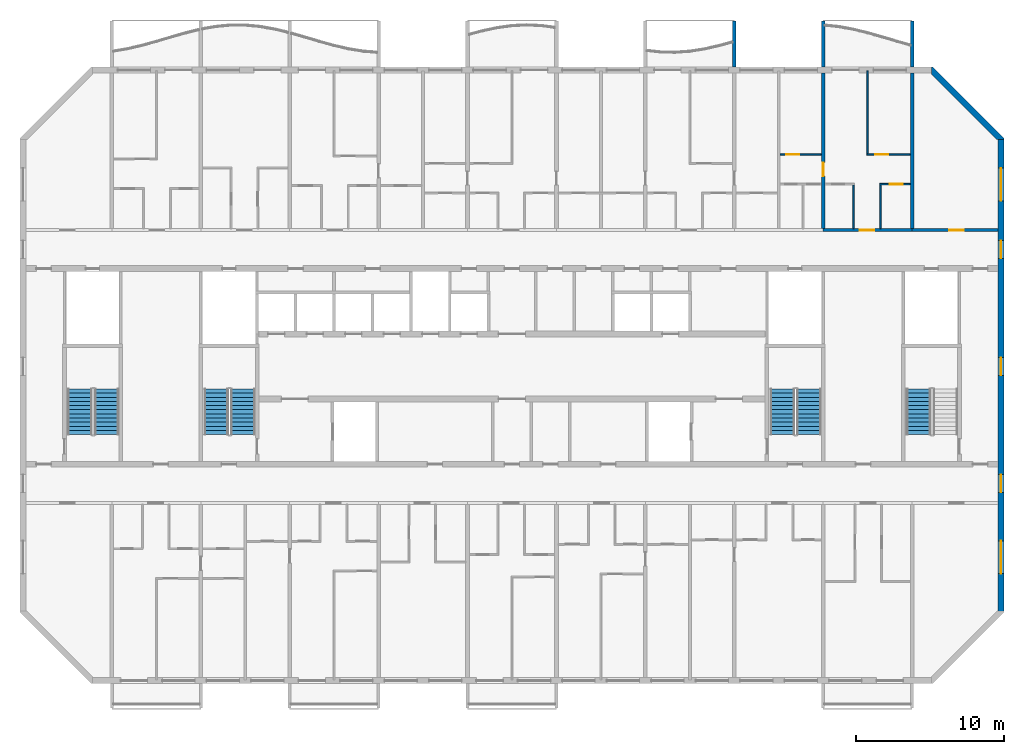
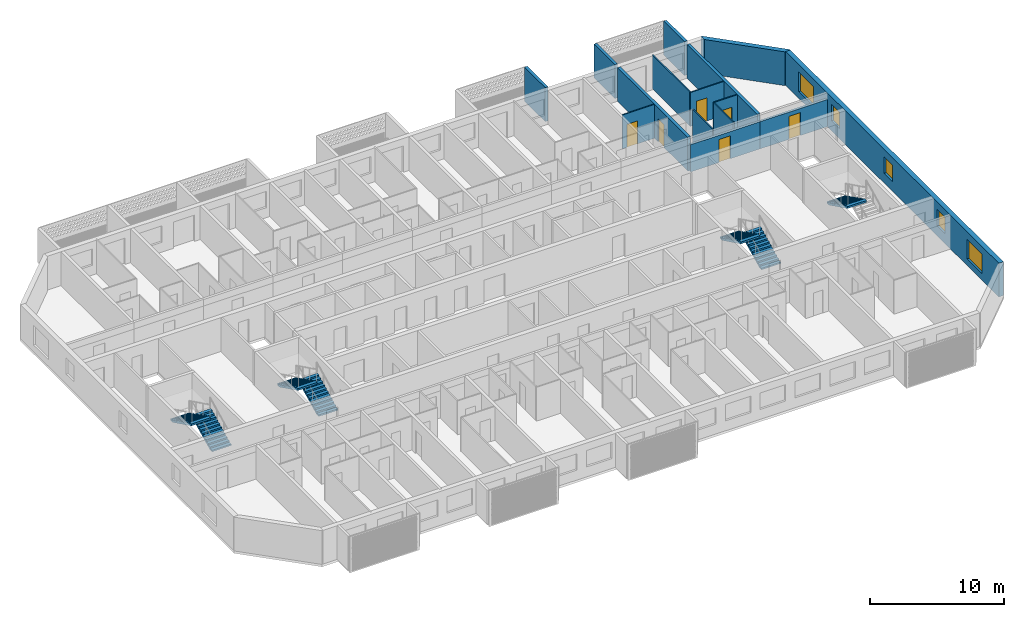
# One storey, part 11 of 27: 15 walls, 7 stair flights, 6 doors, 5 windows, 11 openings, 4 elements without a shape of their own.
"""IFC4 building model written with IfcOpenShell, lengths in metres."""

from ifc_helpers import new_model, si_unit, direction, frame, frame_2d, origin, place, context, subcontext, project, spatial, polyline, rectangle, outline, extrude, source, transform, mapped, material, layer, layer_set, type_object, element, fill, aggregate, save


model = new_model("IFC4")

# Units and contexts
model_context = context("Model", 3, precision=1e-05, world=origin(), true_north=direction((0.0, 1.0)))
body_context = subcontext(model_context, "Body", "Model", "MODEL_VIEW")
ifc_project = project(units=[si_unit("LENGTHUNIT", "METRE"), si_unit("AREAUNIT", "SQUARE_METRE"), si_unit("VOLUMEUNIT", "CUBIC_METRE"), si_unit("PLANEANGLEUNIT", "RADIAN"), si_unit("MASSUNIT", "GRAM", prefix="KILO")], contexts=[model_context])

# Site, building, storey
site_placement = place(None, origin())
site = spatial("IfcSite", under=ifc_project, at=site_placement, CompositionType="ELEMENT")
building_placement = place(site_placement, origin())
building = spatial("IfcBuilding", under=site, at=building_placement, Name="Poui Terraces", CompositionType="ELEMENT")
storey_placement = place(building_placement, frame((0.0, 0.0, 201.60009765625)))
storey = spatial("IfcBuildingStorey", under=building, at=storey_placement, Name="L56", CompositionType="ELEMENT", Elevation=201.60009765625)

# Wall, opening, door
ifc_material_1 = material(Name="Concrete 50 MPa", Category="concrete")
ifc_layer_1 = layer(ifc_material_1, 0.199951171875)
ifc_layer_set_1 = layer_set([ifc_layer_1], Name="Concrete 50 MPa")
wall_type_1 = type_object("IfcWallType", Name="CORRIDOR WALL 200 50MPa", PredefinedType="SHEAR", material=ifc_layer_set_1)
wall_1_placement = place(storey_placement, frame((72.0, 30.39990234375, 0.0), z_axis=(0.0, 0.0, 1.0), x_axis=(1.0, 0.0, 0.0)))
wall_1 = element("IfcWall", 1, at=wall_1_placement, inside=storey, type_object=wall_type_1, Name="CORRIDOR WALL LINE E BAY 10", PredefinedType="SHEAR", context=body_context, shape_type="SweptSolid", body=[
    extrude(rectangle(XDim=6.0, YDim=0.199951171875, at=frame_2d((3.0, 0.0))), origin(), (0.0, 0.0, 1.0), 2.47998046875),
])
opening_1_placement = place(wall_1_placement, frame((2.449951171875, 0.0, 0.0)))
opening_1 = element("IfcOpeningElement", 2, at=opening_1_placement, cuts=wall_1, Name="Opening FD30S", PredefinedType="OPENING", context=body_context, shape_type="SweptSolid", body=[
    extrude(rectangle(XDim=1.0, YDim=2.10009765625, at=frame_2d((0.5, 1.050048828125))), frame((0.0, 0.10986328125, 0.0), z_axis=(0.0, -1.0, 0.0), x_axis=(1.0, 0.0, 0.0)), (0.0, 0.0, 1.0), 0.219970703125),
])
ifc_material_2 = material(Name="Steel fire door", Category="steel")
door_type_1 = type_object("IfcDoorType", Name="FLAT ENTRANCE DOOR 1000 X 2100", OperationType="NOTDEFINED", PredefinedType="DOOR", material=ifc_material_2)
door_1_placement = place(opening_1_placement, origin())
door_1 = element("IfcDoor", 3, at=door_1_placement, inside=storey, type_object=door_type_1, Name="FLAT ENTRANCE DOOR 062", OperationType="SINGLE_SWING_LEFT", OverallHeight=2.10009765625, OverallWidth=1.0, PredefinedType="DOOR", context=body_context, shape_type="SweptSolid", body=[
    extrude(rectangle(XDim=1.0, YDim=2.10009765625, at=frame_2d((0.5, 1.050048828125))), frame((0.0, 0.02490234375, 0.0), z_axis=(0.0, -1.0, 0.0), x_axis=(1.0, 0.0, 0.0)), (0.0, 0.0, 1.0), 0.050048828125),
])
fill(opening_1, door_1)

wall_2_placement = place(storey_placement, frame((78.0, 30.39990234375, 0.0), z_axis=(0.0, 0.0, 1.0), x_axis=(1.0, 0.0, 0.0)))
wall_2 = element("IfcWall", 4, at=wall_2_placement, inside=storey, type_object=wall_type_1, Name="CORRIDOR WALL LINE E BAY 11", PredefinedType="SHEAR", context=body_context, shape_type="SweptSolid", body=[
    extrude(rectangle(XDim=5.800048828125, YDim=0.199951171875, at=frame_2d((2.89990234375, 0.0))), origin(), (0.0, 0.0, 1.0), 2.47998046875),
])
opening_2_placement = place(wall_2_placement, frame((2.5, 0.0, 0.0)))
opening_2 = element("IfcOpeningElement", 5, at=opening_2_placement, cuts=wall_2, Name="Opening D100", PredefinedType="OPENING", context=body_context, shape_type="SweptSolid", body=[
    extrude(rectangle(XDim=1.0, YDim=2.10009765625, at=frame_2d((0.5, 1.050048828125))), frame((0.0, 0.10986328125, 0.0), z_axis=(0.0, -1.0, 0.0), x_axis=(1.0, 0.0, 0.0)), (0.0, 0.0, 1.0), 0.219970703125),
])
ifc_material_3 = material(Name="Solid core timber door", Category="wood")
door_type_2 = type_object("IfcDoorType", Name="ACCESSIBLE INTERNAL DOOR 1000 X 2100", OperationType="NOTDEFINED", PredefinedType="DOOR", material=ifc_material_3)
door_2_placement = place(opening_2_placement, origin())
door_2 = element("IfcDoor", 6, at=door_2_placement, inside=storey, type_object=door_type_2, Name="ACCESSIBLE INTERNAL DOOR 065", OperationType="SINGLE_SWING_LEFT", OverallHeight=2.10009765625, OverallWidth=1.0, PredefinedType="DOOR", context=body_context, shape_type="SweptSolid", body=[
    extrude(rectangle(XDim=1.0, YDim=2.10009765625, at=frame_2d((0.5, 1.050048828125))), frame((0.0, 0.02490234375, 0.0), z_axis=(0.0, -1.0, 0.0), x_axis=(1.0, 0.0, 0.0)), (0.0, 0.0, 1.0), 0.050048828125),
])
fill(opening_2, door_2)

ifc_layer_2 = layer(ifc_material_1, 0.25)
ifc_layer_set_2 = layer_set([ifc_layer_2], Name="Concrete 50 MPa")
wall_type_2 = type_object("IfcWallType", Name="CROSS WALL 250 50MPa", PredefinedType="SHEAR", material=ifc_layer_set_2)
wall_3_placement = place(storey_placement, frame((72.0, 30.5, 0.0), z_axis=(0.0, 0.0, 1.0), x_axis=(0.0, 1.0, 0.0)))
wall_3 = element("IfcWall", 7, at=wall_3_placement, inside=storey, type_object=wall_type_2, Name="CROSS WALL LINE 13 NORTH", PredefinedType="SHEAR", context=body_context, shape_type="SweptSolid", body=[
    extrude(rectangle(XDim=10.5, YDim=0.25, at=frame_2d((5.25, 0.0))), origin(), (0.0, 0.0, 1.0), 3.079833984375),
])
opening_3_placement = place(wall_3_placement, frame((3.550048828125, 0.0, 0.0)))
opening_3 = element("IfcOpeningElement", 8, at=opening_3_placement, cuts=wall_3, Name="Opening D90", PredefinedType="OPENING", context=body_context, shape_type="SweptSolid", body=[
    extrude(rectangle(XDim=0.89990234375, YDim=2.10009765625, at=frame_2d((0.449951171875, 1.050048828125))), frame((0.0, 0.135009765625, 0.0), z_axis=(0.0, -1.0, 0.0), x_axis=(1.0, 0.0, 0.0)), (0.0, 0.0, 1.0), 0.27001953125),
])
door_type_3 = type_object("IfcDoorType", Name="INTERNAL DOOR 900 X 2100", OperationType="NOTDEFINED", PredefinedType="DOOR", material=ifc_material_3)
door_3_placement = place(opening_3_placement, frame((0.89990234375, 0.0, 0.0), z_axis=(0.0, 0.0, 1.0), x_axis=(-1.0, 0.0, 0.0)))
door_3 = element("IfcDoor", 9, at=door_3_placement, inside=storey, type_object=door_type_3, Name="INTERNAL DOOR 060", OperationType="SINGLE_SWING_RIGHT", OverallHeight=2.10009765625, OverallWidth=0.89990234375, PredefinedType="DOOR", context=body_context, shape_type="SweptSolid", body=[
    extrude(rectangle(XDim=0.89990234375, YDim=2.10009765625, at=frame_2d((0.449951171875, 1.050048828125))), frame((0.0, 0.02490234375, 0.0), z_axis=(0.0, -1.0, 0.0), x_axis=(1.0, 0.0, 0.0)), (0.0, 0.0, 1.0), 0.050048828125),
])
fill(opening_3, door_3)

# Wall
wall_4_placement = place(storey_placement, frame((78.0, 30.5, 0.0), z_axis=(0.0, 0.0, 1.0), x_axis=(0.0, 1.0, 0.0)))
element("IfcWall", 10, at=wall_4_placement, inside=storey, type_object=wall_type_2, Name="CROSS WALL LINE 14 NORTH", PredefinedType="SHEAR", context=body_context, shape_type="SweptSolid", body=[
    extrude(rectangle(XDim=10.5, YDim=0.25, at=frame_2d((5.25, 0.0))), origin(), (0.0, 0.0, 1.0), 3.079833984375),
])

# Wall, openings, windows
ifc_layer_3 = layer(ifc_material_1, 0.39990234375)
ifc_layer_set_3 = layer_set([ifc_layer_3], Name="Concrete 50 MPa")
wall_type_3 = type_object("IfcWallType", Name="END WALL 400 50MPa", PredefinedType="SHEAR", material=ifc_layer_set_3)
wall_5_placement = place(storey_placement, frame((84.0, 4.682861328125, 0.0), z_axis=(0.0, 0.0, 1.0), x_axis=(0.0, 1.0, 0.0)))
wall_5 = element("IfcWall", 11, at=wall_5_placement, inside=storey, type_object=wall_type_3, Name="END WALL EAST", PredefinedType="SHEAR", context=body_context, shape_type="SweptSolid", body=[
    extrude(rectangle(XDim=31.834228515625, YDim=0.39990234375, at=frame_2d((15.9169921875, 0.0))), origin(), (0.0, 0.0, 1.0), 3.079833984375),
])
opening_4_placement = place(wall_5_placement, frame((23.817138671875, 0.0, 0.89990234375)))
opening_4 = element("IfcOpeningElement", 12, at=opening_4_placement, cuts=wall_5, Name="Opening W2", PredefinedType="OPENING", context=body_context, shape_type="SweptSolid", body=[
    extrude(rectangle(XDim=1.199951171875, YDim=1.5, at=frame_2d((0.60009765625, 0.75))), frame((0.0, 0.2099609375, 0.0), z_axis=(0.0, -1.0, 0.0), x_axis=(1.0, 0.0, 0.0)), (0.0, 0.0, 1.0), 0.419921875),
])
opening_5_placement = place(wall_5_placement, frame((8.01708984375, 0.0, 0.89990234375)))
opening_5 = element("IfcOpeningElement", 13, at=opening_5_placement, cuts=wall_5, Name="Opening W2", PredefinedType="OPENING", context=body_context, shape_type="SweptSolid", body=[
    extrude(rectangle(XDim=1.199951171875, YDim=1.5, at=frame_2d((0.60009765625, 0.75))), frame((0.0, 0.2099609375, 0.0), z_axis=(0.0, -1.0, 0.0), x_axis=(1.0, 0.0, 0.0)), (0.0, 0.0, 1.0), 0.419921875),
])
opening_6_placement = place(wall_5_placement, frame((27.693603515625, 0.0, 0.60009765625)))
opening_6 = element("IfcOpeningElement", 14, at=opening_6_placement, cuts=wall_5, Name="Opening W3", PredefinedType="OPENING", context=body_context, shape_type="SweptSolid", body=[
    extrude(rectangle(XDim=2.199951171875, YDim=1.800048828125, at=frame_2d((1.10009765625, 0.89990234375))), frame((0.0, 0.2099609375, 0.0), z_axis=(0.0, -1.0, 0.0), x_axis=(1.0, 0.0, 0.0)), (0.0, 0.0, 1.0), 0.419921875),
])
opening_7_placement = place(wall_5_placement, frame((2.541015625, 0.0, 0.60009765625)))
opening_7 = element("IfcOpeningElement", 15, at=opening_7_placement, cuts=wall_5, Name="Opening W3", PredefinedType="OPENING", context=body_context, shape_type="SweptSolid", body=[
    extrude(rectangle(XDim=2.199951171875, YDim=1.800048828125, at=frame_2d((1.10009765625, 0.89990234375))), frame((0.0, 0.2099609375, 0.0), z_axis=(0.0, -1.0, 0.0), x_axis=(1.0, 0.0, 0.0)), (0.0, 0.0, 1.0), 0.419921875),
])
opening_8_placement = place(wall_5_placement, frame((15.917236328125, 0.0, 0.89990234375)))
opening_8 = element("IfcOpeningElement", 16, at=opening_8_placement, cuts=wall_5, Name="Opening W2", PredefinedType="OPENING", context=body_context, shape_type="SweptSolid", body=[
    extrude(rectangle(XDim=1.199951171875, YDim=1.5, at=frame_2d((0.60009765625, 0.75))), frame((0.0, 0.2099609375, 0.0), z_axis=(0.0, -1.0, 0.0), x_axis=(1.0, 0.0, 0.0)), (0.0, 0.0, 1.0), 0.419921875),
])
ifc_material_4 = material(Name="Clear glass in aluminium frame", Category="aluminium")
window_type_1 = type_object("IfcWindowType", Name="WINDOW 1200X1500", PartitioningType="SINGLE_PANEL", PredefinedType="WINDOW", material=ifc_material_4)
window_1_placement = place(opening_4_placement, origin())
window_1 = element("IfcWindow", 17, at=window_1_placement, inside=storey, type_object=window_type_1, Name="W2 WINDOW", OverallHeight=1.5, OverallWidth=1.199951171875, PartitioningType="SINGLE_PANEL", PredefinedType="WINDOW", context=body_context, shape_type="SweptSolid", body=[
    extrude(rectangle(XDim=1.199951171875, YDim=1.5, at=frame_2d((0.60009765625, 0.75))), frame((0.0, 0.030029296875, 0.0), z_axis=(0.0, -1.0, 0.0), x_axis=(1.0, 0.0, 0.0)), (0.0, 0.0, 1.0), 0.06005859375),
])
fill(opening_4, window_1)
window_2_placement = place(opening_5_placement, origin())
window_2 = element("IfcWindow", 18, at=window_2_placement, inside=storey, type_object=window_type_1, Name="W2 WINDOW", OverallHeight=1.5, OverallWidth=1.199951171875, PartitioningType="SINGLE_PANEL", PredefinedType="WINDOW", context=body_context, shape_type="SweptSolid", body=[
    extrude(rectangle(XDim=1.199951171875, YDim=1.5, at=frame_2d((0.60009765625, 0.75))), frame((0.0, 0.030029296875, 0.0), z_axis=(0.0, -1.0, 0.0), x_axis=(1.0, 0.0, 0.0)), (0.0, 0.0, 1.0), 0.06005859375),
])
fill(opening_5, window_2)
window_3_placement = place(opening_8_placement, origin())
window_3 = element("IfcWindow", 19, at=window_3_placement, inside=storey, type_object=window_type_1, Name="W2 WINDOW", OverallHeight=1.5, OverallWidth=1.199951171875, PartitioningType="SINGLE_PANEL", PredefinedType="WINDOW", context=body_context, shape_type="SweptSolid", body=[
    extrude(rectangle(XDim=1.199951171875, YDim=1.5, at=frame_2d((0.60009765625, 0.75))), frame((0.0, 0.030029296875, 0.0), z_axis=(0.0, -1.0, 0.0), x_axis=(1.0, 0.0, 0.0)), (0.0, 0.0, 1.0), 0.06005859375),
])
fill(opening_8, window_3)
window_type_2 = type_object("IfcWindowType", Name="WINDOW 2200X1800", PartitioningType="DOUBLE_PANEL_HORIZONTAL", PredefinedType="WINDOW", material=ifc_material_4)
window_4_placement = place(opening_6_placement, origin())
window_4 = element("IfcWindow", 20, at=window_4_placement, inside=storey, type_object=window_type_2, Name="W3 WINDOW", OverallHeight=1.800048828125, OverallWidth=2.199951171875, PartitioningType="DOUBLE_PANEL_HORIZONTAL", PredefinedType="WINDOW", context=body_context, shape_type="SweptSolid", body=[
    extrude(rectangle(XDim=2.199951171875, YDim=1.800048828125, at=frame_2d((1.10009765625, 0.89990234375))), frame((0.0, 0.030029296875, 0.0), z_axis=(0.0, -1.0, 0.0), x_axis=(1.0, 0.0, 0.0)), (0.0, 0.0, 1.0), 0.06005859375),
])
fill(opening_6, window_4)
window_5_placement = place(opening_7_placement, origin())
window_5 = element("IfcWindow", 21, at=window_5_placement, inside=storey, type_object=window_type_2, Name="W3 WINDOW", OverallHeight=1.800048828125, OverallWidth=2.199951171875, PartitioningType="DOUBLE_PANEL_HORIZONTAL", PredefinedType="WINDOW", context=body_context, shape_type="SweptSolid", body=[
    extrude(rectangle(XDim=2.199951171875, YDim=1.800048828125, at=frame_2d((1.10009765625, 0.89990234375))), frame((0.0, 0.030029296875, 0.0), z_axis=(0.0, -1.0, 0.0), x_axis=(1.0, 0.0, 0.0)), (0.0, 0.0, 1.0), 0.06005859375),
])
fill(opening_7, window_5)

# Wall, opening, door
ifc_material_5 = material(Name="Plasterboard partition")
ifc_layer_4 = layer(ifc_material_5, 0.10009765625)
ifc_layer_set_4 = layer_set([ifc_layer_4], Name="Plasterboard partition")
wall_type_4 = type_object("IfcWallType", Name="FLAT PARTITION 100", PredefinedType="PARTITIONING", material=ifc_layer_set_4)
wall_6_placement = place(storey_placement, frame((75.800048828125, 33.5, 0.0), z_axis=(0.0, 0.0, 1.0), x_axis=(1.0, 0.0, 0.0)))
wall_6 = element("IfcWall", 22, at=wall_6_placement, inside=storey, type_object=wall_type_4, Name="FLAT PARTITION 100", PredefinedType="PARTITIONING", context=body_context, shape_type="SweptSolid", body=[
    extrude(rectangle(XDim=2.06494140625, YDim=0.10009765625, at=frame_2d((1.032470703125, 0.0))), origin(), (0.0, 0.0, 1.0), 3.079833984375),
])
opening_9_placement = place(wall_6_placement, frame((0.675048828125, 0.0, 0.0)))
opening_9 = element("IfcOpeningElement", 23, at=opening_9_placement, cuts=wall_6, Name="Opening D90", PredefinedType="OPENING", context=body_context, shape_type="SweptSolid", body=[
    extrude(rectangle(XDim=0.89990234375, YDim=2.10009765625, at=frame_2d((0.449951171875, 1.050048828125))), frame((0.0, 0.06005859375, 0.0), z_axis=(0.0, -1.0, 0.0), x_axis=(1.0, 0.0, 0.0)), (0.0, 0.0, 1.0), 0.1201171875),
])
door_4_placement = place(opening_9_placement, frame((0.89990234375, 0.0, 0.0), z_axis=(0.0, 0.0, 1.0), x_axis=(-1.0, 0.0, 0.0)))
door_4 = element("IfcDoor", 24, at=door_4_placement, inside=storey, type_object=door_type_3, Name="INTERNAL DOOR 064", OperationType="SINGLE_SWING_RIGHT", OverallHeight=2.10009765625, OverallWidth=0.89990234375, PredefinedType="DOOR", context=body_context, shape_type="SweptSolid", body=[
    extrude(rectangle(XDim=0.89990234375, YDim=2.10009765625, at=frame_2d((0.449951171875, 1.050048828125))), frame((0.0, 0.02490234375, 0.0), z_axis=(0.0, -1.0, 0.0), x_axis=(1.0, 0.0, 0.0)), (0.0, 0.0, 1.0), 0.050048828125),
])
fill(opening_9, door_4)

wall_7_placement = place(storey_placement, frame((69.10009765625, 35.5, 0.0), z_axis=(0.0, 0.0, 1.0), x_axis=(1.0, 0.0, 0.0)))
wall_7 = element("IfcWall", 25, at=wall_7_placement, inside=storey, type_object=wall_type_4, Name="FLAT PARTITION 100", PredefinedType="PARTITIONING", context=body_context, shape_type="SweptSolid", body=[
    extrude(rectangle(XDim=2.764892578125, YDim=0.10009765625, at=frame_2d((1.38232421875, 0.0))), origin(), (0.0, 0.0, 1.0), 3.079833984375),
])
opening_10_placement = place(wall_7_placement, frame((0.39990234375, 0.0, 0.0)))
opening_10 = element("IfcOpeningElement", 26, at=opening_10_placement, cuts=wall_7, Name="Opening D90", PredefinedType="OPENING", context=body_context, shape_type="SweptSolid", body=[
    extrude(rectangle(XDim=0.89990234375, YDim=2.10009765625, at=frame_2d((0.449951171875, 1.050048828125))), frame((0.0, 0.06005859375, 0.0), z_axis=(0.0, -1.0, 0.0), x_axis=(1.0, 0.0, 0.0)), (0.0, 0.0, 1.0), 0.1201171875),
])
door_5_placement = place(opening_10_placement, origin())
door_5 = element("IfcDoor", 27, at=door_5_placement, inside=storey, type_object=door_type_3, Name="INTERNAL DOOR 058", OperationType="SINGLE_SWING_LEFT", OverallHeight=2.10009765625, OverallWidth=0.89990234375, PredefinedType="DOOR", context=body_context, shape_type="SweptSolid", body=[
    extrude(rectangle(XDim=0.89990234375, YDim=2.10009765625, at=frame_2d((0.449951171875, 1.050048828125))), frame((0.0, 0.02490234375, 0.0), z_axis=(0.0, -1.0, 0.0), x_axis=(1.0, 0.0, 0.0)), (0.0, 0.0, 1.0), 0.050048828125),
])
fill(opening_10, door_5)

wall_8_placement = place(storey_placement, frame((74.949951171875, 35.5, 0.0), z_axis=(0.0, 0.0, 1.0), x_axis=(1.0, 0.0, 0.0)))
wall_8 = element("IfcWall", 28, at=wall_8_placement, inside=storey, type_object=wall_type_4, Name="FLAT PARTITION 100", PredefinedType="PARTITIONING", context=body_context, shape_type="SweptSolid", body=[
    extrude(rectangle(XDim=2.9150390625, YDim=0.10009765625, at=frame_2d((1.45751953125, 0.0))), origin(), (0.0, 0.0, 1.0), 3.079833984375),
])
opening_11_placement = place(wall_8_placement, frame((0.550048828125, 0.0, 0.0)))
opening_11 = element("IfcOpeningElement", 29, at=opening_11_placement, cuts=wall_8, Name="Opening D90", PredefinedType="OPENING", context=body_context, shape_type="SweptSolid", body=[
    extrude(rectangle(XDim=0.89990234375, YDim=2.10009765625, at=frame_2d((0.449951171875, 1.050048828125))), frame((0.0, 0.06005859375, 0.0), z_axis=(0.0, -1.0, 0.0), x_axis=(1.0, 0.0, 0.0)), (0.0, 0.0, 1.0), 0.1201171875),
])
door_6_placement = place(opening_11_placement, frame((0.89990234375, 0.0, 0.0), z_axis=(0.0, 0.0, 1.0), x_axis=(-1.0, 0.0, 0.0)))
door_6 = element("IfcDoor", 30, at=door_6_placement, inside=storey, type_object=door_type_3, Name="INTERNAL DOOR 063", OperationType="SINGLE_SWING_LEFT", OverallHeight=2.10009765625, OverallWidth=0.89990234375, PredefinedType="DOOR", context=body_context, shape_type="SweptSolid", body=[
    extrude(rectangle(XDim=0.89990234375, YDim=2.10009765625, at=frame_2d((0.449951171875, 1.050048828125))), frame((0.0, 0.02490234375, 0.0), z_axis=(0.0, -1.0, 0.0), x_axis=(1.0, 0.0, 0.0)), (0.0, 0.0, 1.0), 0.050048828125),
])
fill(opening_11, door_6)

# Walls
wall_9_placement = place(storey_placement, frame((74.050048828125, 30.510009765625, 0.0), z_axis=(0.0, 0.0, 1.0), x_axis=(0.0, 1.0, 0.0)))
element("IfcWall", 31, at=wall_9_placement, inside=storey, type_object=wall_type_4, Name="FLAT PARTITION 100", PredefinedType="PARTITIONING", context=body_context, shape_type="SweptSolid", body=[
    extrude(rectangle(XDim=2.93994140625, YDim=0.10009765625, at=frame_2d((1.469970703125, 0.0))), origin(), (0.0, 0.0, 1.0), 3.079833984375),
])
wall_10_placement = place(storey_placement, frame((75.0, 35.550048828125, 0.0), z_axis=(0.0, 0.0, 1.0), x_axis=(0.0, 1.0, 0.0)))
element("IfcWall", 32, at=wall_10_placement, inside=storey, type_object=wall_type_4, Name="FLAT PARTITION 100", PredefinedType="PARTITIONING", context=body_context, shape_type="SweptSolid", body=[
    extrude(rectangle(XDim=5.58984375, YDim=0.10009765625, at=frame_2d((2.794921875, 0.0))), origin(), (0.0, 0.0, 1.0), 3.079833984375),
])
wall_11_placement = place(storey_placement, frame((75.85009765625, 30.510009765625, 0.0), z_axis=(0.0, 0.0, 1.0), x_axis=(0.0, 1.0, 0.0)))
element("IfcWall", 33, at=wall_11_placement, inside=storey, type_object=wall_type_4, Name="FLAT PARTITION 100", PredefinedType="PARTITIONING", context=body_context, shape_type="SweptSolid", body=[
    extrude(rectangle(XDim=2.93994140625, YDim=0.10009765625, at=frame_2d((1.469970703125, 0.0))), origin(), (0.0, 0.0, 1.0), 3.079833984375),
])
ifc_material_6 = material(Name="Precast concrete 40 MPa", Category="concrete")
ifc_layer_5 = layer(ifc_material_6, 0.39990234375)
ifc_layer_set_5 = layer_set([ifc_layer_5], Name="Precast concrete 40 MPa")
wall_type_5 = type_object("IfcWallType", Name="TERRACOTTA CLAD CHAMFER WALL 400", PredefinedType="STANDARD", material=ifc_layer_set_5)
wall_12_placement = place(storey_placement, origin())
element("IfcWall", 34, at=wall_12_placement, inside=storey, type_object=wall_type_5, Name="CHAMFER WALL CH03", PredefinedType="STANDARD", context=body_context, shape_type="SweptSolid", body=[
    extrude(outline(polyline([(84.199951171875, 36.51708984375), (84.199951171875, 36.60009765625), (79.39990234375, 41.39990234375), (79.317138671875, 41.39990234375), (79.317138671875, 40.917236328125), (83.71728515625, 36.51708984375), (84.199951171875, 36.51708984375)])), origin(), (0.0, 0.0, 1.0), 3.079833984375),
])
ifc_layer_6 = layer(ifc_material_6, 0.25)
ifc_layer_set_6 = layer_set([ifc_layer_6], Name="Precast concrete 40 MPa")
wall_type_6 = type_object("IfcWallType", Name="BALCONY FIN 250", PredefinedType="STANDARD", material=ifc_layer_set_6)
shared_shape = source(origin(), body_context, "Body", "SweptSolid", [
    extrude(outline(polyline([(0.0, 0.0), (0.25, 0.0), (0.25, 3.10009765625), (0.0, 3.10009765625), (0.0, 0.0)])), origin(), (0.0, 0.0, 1.0), 3.099853515625),
])
for number, where, name in (
    (35, (65.875, 41.39990234375, 0.0), "BALCONY FIN"),
    (36, (71.875, 41.39990234375, 0.0), "BALCONY FIN"),
    (37, (77.875, 41.39990234375, 0.0), "BALCONY FIN"),
):
    element("IfcWall", number, at=place(storey_placement, frame(where)), inside=storey, type_object=wall_type_6, Name=name, PredefinedType="STANDARD", context=body_context, shape_type="MappedRepresentation", body=[
        mapped(shared_shape, transform((0.0, 0.0, 0.0))),
    ])

# Stair, stair flights
stair_type = type_object("IfcStairType", Name="EXIT STAIR 1650 50 MPA", PredefinedType="HALF_TURN_STAIR", material=ifc_material_1)
stair_1_placement = place(storey_placement, origin())
stair_1 = element("IfcStair", 38, at=stair_1_placement, inside=storey, type_object=stair_type, Name="L56 CORE STAIR EAST", PredefinedType="HALF_TURN_STAIR")
ifc_layer_7 = layer(ifc_material_1, 0.14990234375)
ifc_layer_set_7 = layer_set([ifc_layer_7], Name="Concrete 50 MPa")
stair_flight_type = type_object("IfcStairFlightType", Name="STAIR FLIGHT 12 RISERS 138 RISE 50 MPA", PredefinedType="STRAIGHT", material=ifc_layer_set_7)
stair_flight_1_placement = place(storey_placement, frame((71.050048828125, 16.60009765625, 0.0), z_axis=(0.0, 0.0, 1.0), x_axis=(0.0, 1.0, 0.0)))
stair_flight_1 = element("IfcStairFlight", 39, at=stair_flight_1_placement, type_object=stair_flight_type, Name="ST-CE flight 1", NumberOfRisers=12, NumberOfTreads=11, PredefinedType="STRAIGHT", RiserHeight=0.1375, TreadLength=0.28, context=body_context, shape_type="SweptSolid", body=[
    extrude(outline(polyline([(0.0, 0.0), (0.0, 0.137451171875), (0.280029296875, 0.137451171875), (0.280029296875, 0.27490234375), (0.56005859375, 0.27490234375), (0.56005859375, 0.41259765625), (0.840087890625, 0.41259765625), (0.840087890625, 0.550048828125), (1.1201171875, 0.550048828125), (1.1201171875, 0.6875), (1.39990234375, 0.6875), (1.39990234375, 0.824951171875), (1.679931640625, 0.824951171875), (1.679931640625, 0.96240234375), (1.9599609375, 0.96240234375), (1.9599609375, 1.10009765625), (2.239990234375, 1.10009765625), (2.239990234375, 1.237548828125), (2.52001953125, 1.237548828125), (2.52001953125, 1.375), (2.800048828125, 1.375), (2.800048828125, 1.512451171875), (3.080078125, 1.512451171875), (3.080078125, 1.64990234375), (3.080078125, 1.345458984375), (0.340087890625, 0.0), (0.0, 0.0)])), frame((0.0, 0.824951171875, 0.0), z_axis=(0.0, -1.0, 0.0), x_axis=(1.0, 0.0, 0.0)), (0.0, 0.0, 1.0), 1.64990234375),
])
stair_flight_2_placement = place(storey_placement, frame((69.25, 19.679931640625, 1.64990234375), z_axis=(0.0, 0.0, 1.0), x_axis=(0.0, -1.0, 0.0)))
stair_flight_2 = element("IfcStairFlight", 40, at=stair_flight_2_placement, type_object=stair_flight_type, Name="ST-CE flight 2", NumberOfRisers=12, NumberOfTreads=11, PredefinedType="STRAIGHT", RiserHeight=0.1375, TreadLength=0.28, context=body_context, shape_type="SweptSolid", body=[
    extrude(outline(polyline([(0.0, 0.0), (0.0, 0.137451171875), (0.280029296875, 0.137451171875), (0.280029296875, 0.27490234375), (0.56005859375, 0.27490234375), (0.56005859375, 0.41259765625), (0.840087890625, 0.41259765625), (0.840087890625, 0.550048828125), (1.1201171875, 0.550048828125), (1.1201171875, 0.6875), (1.39990234375, 0.6875), (1.39990234375, 0.824951171875), (1.679931640625, 0.824951171875), (1.679931640625, 0.96240234375), (1.9599609375, 0.96240234375), (1.9599609375, 1.10009765625), (2.239990234375, 1.10009765625), (2.239990234375, 1.237548828125), (2.52001953125, 1.237548828125), (2.52001953125, 1.375), (2.800048828125, 1.375), (2.800048828125, 1.512451171875), (3.080078125, 1.512451171875), (3.080078125, 1.64990234375), (3.080078125, 1.345458984375), (0.340087890625, 0.0), (0.0, 0.0)])), frame((0.0, 0.824951171875, 0.0), z_axis=(0.0, -1.0, 0.0), x_axis=(1.0, 0.0, 0.0)), (0.0, 0.0, 1.0), 1.64990234375),
])
aggregate(stair_1, [stair_flight_1, stair_flight_2])

stair_2_placement = place(storey_placement, origin())
stair_2 = element("IfcStair", 41, at=stair_2_placement, inside=storey, type_object=stair_type, Name="L56 CORE STAIR WEST", PredefinedType="HALF_TURN_STAIR")
stair_flight_3_placement = place(storey_placement, frame((32.85009765625, 16.60009765625, 0.0), z_axis=(0.0, 0.0, 1.0), x_axis=(0.0, 1.0, 0.0)))
stair_flight_3 = element("IfcStairFlight", 42, at=stair_flight_3_placement, type_object=stair_flight_type, Name="ST-CW flight 1", NumberOfRisers=12, NumberOfTreads=11, PredefinedType="STRAIGHT", RiserHeight=0.1375, TreadLength=0.28, context=body_context, shape_type="SweptSolid", body=[
    extrude(outline(polyline([(0.0, 0.0), (0.0, 0.137451171875), (0.280029296875, 0.137451171875), (0.280029296875, 0.27490234375), (0.56005859375, 0.27490234375), (0.56005859375, 0.41259765625), (0.840087890625, 0.41259765625), (0.840087890625, 0.550048828125), (1.1201171875, 0.550048828125), (1.1201171875, 0.6875), (1.39990234375, 0.6875), (1.39990234375, 0.824951171875), (1.679931640625, 0.824951171875), (1.679931640625, 0.96240234375), (1.9599609375, 0.96240234375), (1.9599609375, 1.10009765625), (2.239990234375, 1.10009765625), (2.239990234375, 1.237548828125), (2.52001953125, 1.237548828125), (2.52001953125, 1.375), (2.800048828125, 1.375), (2.800048828125, 1.512451171875), (3.080078125, 1.512451171875), (3.080078125, 1.64990234375), (3.080078125, 1.345458984375), (0.340087890625, 0.0), (0.0, 0.0)])), frame((0.0, 0.824951171875, 0.0), z_axis=(0.0, -1.0, 0.0), x_axis=(1.0, 0.0, 0.0)), (0.0, 0.0, 1.0), 1.64990234375),
])
stair_flight_4_placement = place(storey_placement, frame((31.050048828125, 19.679931640625, 1.64990234375), z_axis=(0.0, 0.0, 1.0), x_axis=(0.0, -1.0, 0.0)))
stair_flight_4 = element("IfcStairFlight", 43, at=stair_flight_4_placement, type_object=stair_flight_type, Name="ST-CW flight 2", NumberOfRisers=12, NumberOfTreads=11, PredefinedType="STRAIGHT", RiserHeight=0.1375, TreadLength=0.28, context=body_context, shape_type="SweptSolid", body=[
    extrude(outline(polyline([(0.0, 0.0), (0.0, 0.137451171875), (0.280029296875, 0.137451171875), (0.280029296875, 0.27490234375), (0.56005859375, 0.27490234375), (0.56005859375, 0.41259765625), (0.840087890625, 0.41259765625), (0.840087890625, 0.550048828125), (1.1201171875, 0.550048828125), (1.1201171875, 0.6875), (1.39990234375, 0.6875), (1.39990234375, 0.824951171875), (1.679931640625, 0.824951171875), (1.679931640625, 0.96240234375), (1.9599609375, 0.96240234375), (1.9599609375, 1.10009765625), (2.239990234375, 1.10009765625), (2.239990234375, 1.237548828125), (2.52001953125, 1.237548828125), (2.52001953125, 1.375), (2.800048828125, 1.375), (2.800048828125, 1.512451171875), (3.080078125, 1.512451171875), (3.080078125, 1.64990234375), (3.080078125, 1.345458984375), (0.340087890625, 0.0), (0.0, 0.0)])), frame((0.0, 0.824951171875, 0.0), z_axis=(0.0, -1.0, 0.0), x_axis=(1.0, 0.0, 0.0)), (0.0, 0.0, 1.0), 1.64990234375),
])
aggregate(stair_2, [stair_flight_3, stair_flight_4])

# Stair, stair flight
stair_3_placement = place(storey_placement, origin())
stair_3 = element("IfcStair", 44, at=stair_3_placement, inside=storey, type_object=stair_type, Name="L56 TIP STAIR EAST", PredefinedType="HALF_TURN_STAIR")
stair_flight_5_placement = place(storey_placement, frame((78.449951171875, 19.679931640625, 1.64990234375), z_axis=(0.0, 0.0, 1.0), x_axis=(0.0, -1.0, 0.0)))
stair_flight_5 = element("IfcStairFlight", 45, at=stair_flight_5_placement, type_object=stair_flight_type, Name="ST-E flight 2", NumberOfRisers=12, NumberOfTreads=11, PredefinedType="STRAIGHT", RiserHeight=0.1375, TreadLength=0.28, context=body_context, shape_type="SweptSolid", body=[
    extrude(outline(polyline([(0.0, 0.0), (0.0, 0.137451171875), (0.280029296875, 0.137451171875), (0.280029296875, 0.27490234375), (0.56005859375, 0.27490234375), (0.56005859375, 0.41259765625), (0.840087890625, 0.41259765625), (0.840087890625, 0.550048828125), (1.1201171875, 0.550048828125), (1.1201171875, 0.6875), (1.39990234375, 0.6875), (1.39990234375, 0.824951171875), (1.679931640625, 0.824951171875), (1.679931640625, 0.96240234375), (1.9599609375, 0.96240234375), (1.9599609375, 1.10009765625), (2.239990234375, 1.10009765625), (2.239990234375, 1.237548828125), (2.52001953125, 1.237548828125), (2.52001953125, 1.375), (2.800048828125, 1.375), (2.800048828125, 1.512451171875), (3.080078125, 1.512451171875), (3.080078125, 1.64990234375), (3.080078125, 1.345458984375), (0.340087890625, 0.0), (0.0, 0.0)])), frame((0.0, 0.824951171875, 0.0), z_axis=(0.0, -1.0, 0.0), x_axis=(1.0, 0.0, 0.0)), (0.0, 0.0, 1.0), 1.64990234375),
])
aggregate(stair_3, [stair_flight_5])

# Stair, stair flights
stair_4_placement = place(storey_placement, origin())
stair_4 = element("IfcStair", 46, at=stair_4_placement, inside=storey, type_object=stair_type, Name="L56 TIP STAIR WEST", PredefinedType="HALF_TURN_STAIR")
stair_flight_6_placement = place(storey_placement, frame((23.64990234375, 16.60009765625, 0.0), z_axis=(0.0, 0.0, 1.0), x_axis=(0.0, 1.0, 0.0)))
stair_flight_6 = element("IfcStairFlight", 47, at=stair_flight_6_placement, type_object=stair_flight_type, Name="ST-W flight 1", NumberOfRisers=12, NumberOfTreads=11, PredefinedType="STRAIGHT", RiserHeight=0.1375, TreadLength=0.28, context=body_context, shape_type="SweptSolid", body=[
    extrude(outline(polyline([(0.0, 0.0), (0.0, 0.137451171875), (0.280029296875, 0.137451171875), (0.280029296875, 0.27490234375), (0.56005859375, 0.27490234375), (0.56005859375, 0.41259765625), (0.840087890625, 0.41259765625), (0.840087890625, 0.550048828125), (1.1201171875, 0.550048828125), (1.1201171875, 0.6875), (1.39990234375, 0.6875), (1.39990234375, 0.824951171875), (1.679931640625, 0.824951171875), (1.679931640625, 0.96240234375), (1.9599609375, 0.96240234375), (1.9599609375, 1.10009765625), (2.239990234375, 1.10009765625), (2.239990234375, 1.237548828125), (2.52001953125, 1.237548828125), (2.52001953125, 1.375), (2.800048828125, 1.375), (2.800048828125, 1.512451171875), (3.080078125, 1.512451171875), (3.080078125, 1.64990234375), (3.080078125, 1.345458984375), (0.340087890625, 0.0), (0.0, 0.0)])), frame((0.0, 0.824951171875, 0.0), z_axis=(0.0, -1.0, 0.0), x_axis=(1.0, 0.0, 0.0)), (0.0, 0.0, 1.0), 1.64990234375),
])
stair_flight_7_placement = place(storey_placement, frame((21.85009765625, 19.679931640625, 1.64990234375), z_axis=(0.0, 0.0, 1.0), x_axis=(0.0, -1.0, 0.0)))
stair_flight_7 = element("IfcStairFlight", 48, at=stair_flight_7_placement, type_object=stair_flight_type, Name="ST-W flight 2", NumberOfRisers=12, NumberOfTreads=11, PredefinedType="STRAIGHT", RiserHeight=0.1375, TreadLength=0.28, context=body_context, shape_type="SweptSolid", body=[
    extrude(outline(polyline([(0.0, 0.0), (0.0, 0.137451171875), (0.280029296875, 0.137451171875), (0.280029296875, 0.27490234375), (0.56005859375, 0.27490234375), (0.56005859375, 0.41259765625), (0.840087890625, 0.41259765625), (0.840087890625, 0.550048828125), (1.1201171875, 0.550048828125), (1.1201171875, 0.6875), (1.39990234375, 0.6875), (1.39990234375, 0.824951171875), (1.679931640625, 0.824951171875), (1.679931640625, 0.96240234375), (1.9599609375, 0.96240234375), (1.9599609375, 1.10009765625), (2.239990234375, 1.10009765625), (2.239990234375, 1.237548828125), (2.52001953125, 1.237548828125), (2.52001953125, 1.375), (2.800048828125, 1.375), (2.800048828125, 1.512451171875), (3.080078125, 1.512451171875), (3.080078125, 1.64990234375), (3.080078125, 1.345458984375), (0.340087890625, 0.0), (0.0, 0.0)])), frame((0.0, 0.824951171875, 0.0), z_axis=(0.0, -1.0, 0.0), x_axis=(1.0, 0.0, 0.0)), (0.0, 0.0, 1.0), 1.64990234375),
])
aggregate(stair_4, [stair_flight_6, stair_flight_7])

save(model, "model.ifc")
